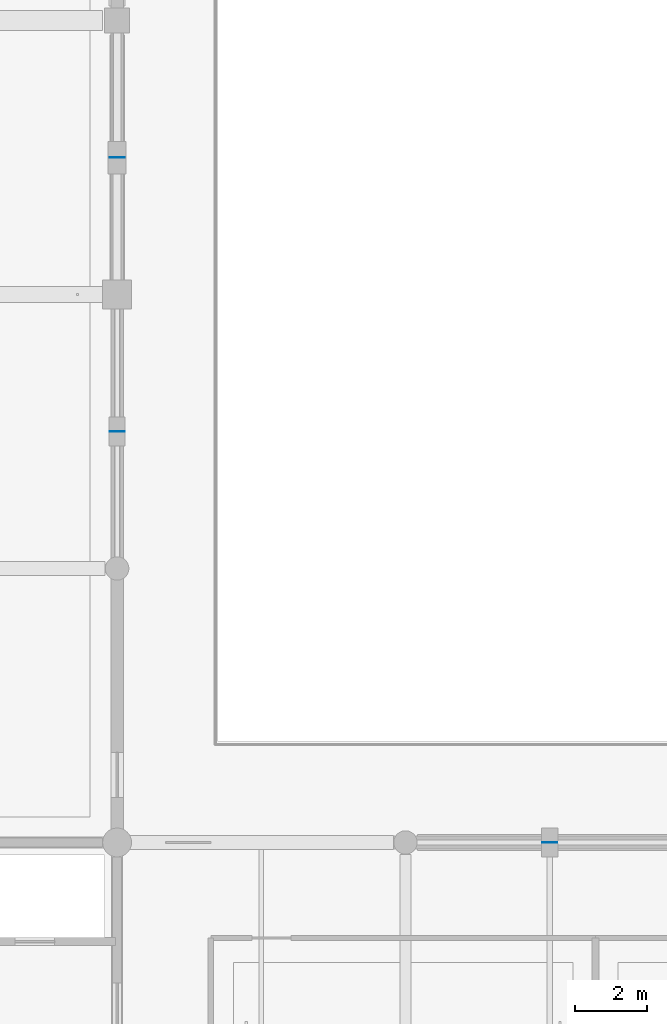
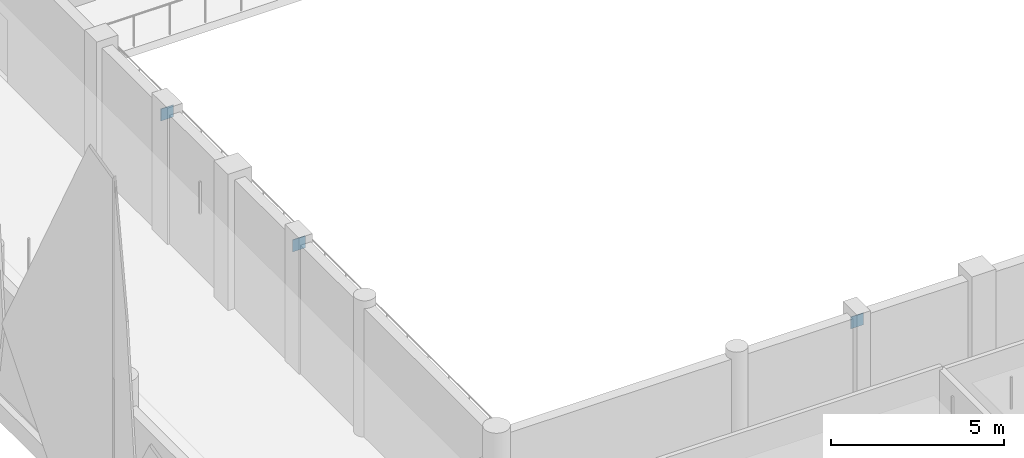
# One storey, part 64 of 107: 3 plates.
"""IFC4 building model written with IfcOpenShell, lengths in metres."""

from ifc_helpers import new_model, si_unit, direction, frame, origin, origin_2d, place, context, subcontext, project, spatial, rectangle, extrude, material, layer, layer_set, type_object, element, save


model = new_model("IFC4")

# Units and contexts
model_context = context("Model", 3, precision=1e-05, world=origin(), true_north=direction((0.0, 1.0)))
body_context = subcontext(model_context, "Body", "Model", "MODEL_VIEW")
ifc_project = project(units=[si_unit("LENGTHUNIT", "METRE"), si_unit("AREAUNIT", "SQUARE_METRE"), si_unit("VOLUMEUNIT", "CUBIC_METRE"), si_unit("PLANEANGLEUNIT", "RADIAN"), si_unit("MASSUNIT", "GRAM", prefix="KILO")], contexts=[model_context])

# Site, building, storey
site_placement = place(None, origin())
site = spatial("IfcSite", under=ifc_project, at=site_placement, CompositionType="ELEMENT")
building_placement = place(site_placement, origin())
building = spatial("IfcBuilding", under=site, at=building_placement, Name="Khelvaren Railside Concert Hall", CompositionType="ELEMENT")
storey_placement = place(building_placement, frame((0.0, 0.0, 15.0)))
storey = spatial("IfcBuildingStorey", under=building, at=storey_placement, Name="L03", CompositionType="ELEMENT", Elevation=15.0)

# Plates
ifc_material = material(Name="Steel S355", Category="steel")
ifc_layer = layer(ifc_material, 0.02197265625)
ifc_layer_set = layer_set([ifc_layer], Name="Steel S355")
plate_type = type_object("IfcPlateType", Name="STP73", PredefinedType="USERDEFINED", material=ifc_layer_set)
for number, where, z_axis, x_axis, name in (
    (1, (8.0, 19.0, 4.070068359375), (0.0, 0.0, 1.0), (1.0, 0.0, 0.0), "V1 L03 Brace Apex Stiffener Plate 8"),
    (2, (8.0, 26.60009765625, 4.070068359375), (0.0, 0.0, 1.0), (1.0, 0.0, 0.0), "V1 L03 Brace Apex Stiffener Plate 18"),
    (3, (20.0, 7.60009765625, 4.070068359375), (0.0, 0.0, 1.0), (1.0, 0.0, 0.0), "V1 L03 Brace Apex Stiffener Plate 28"),
):
    element("IfcPlate", number, at=place(storey_placement, frame(where, z_axis=z_axis, x_axis=x_axis)), inside=storey, type_object=plate_type, Name=name, ObjectType="STIFFENER PLATE", PredefinedType="USERDEFINED", context=body_context, shape_type="SweptSolid", body=[
        extrude(rectangle(XDim=0.419921875, YDim=0.02197265625, at=origin_2d()), origin(), (0.0, 0.0, 1.0), 0.419921875),
    ])

save(model, "model.ifc")
